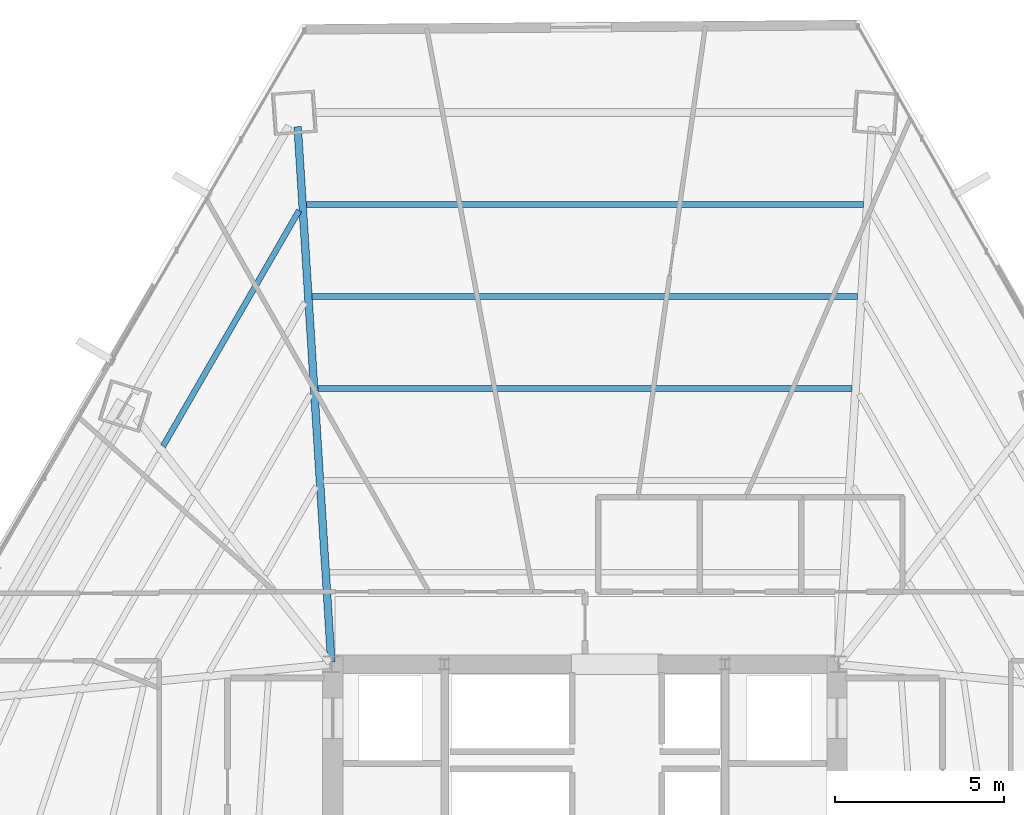
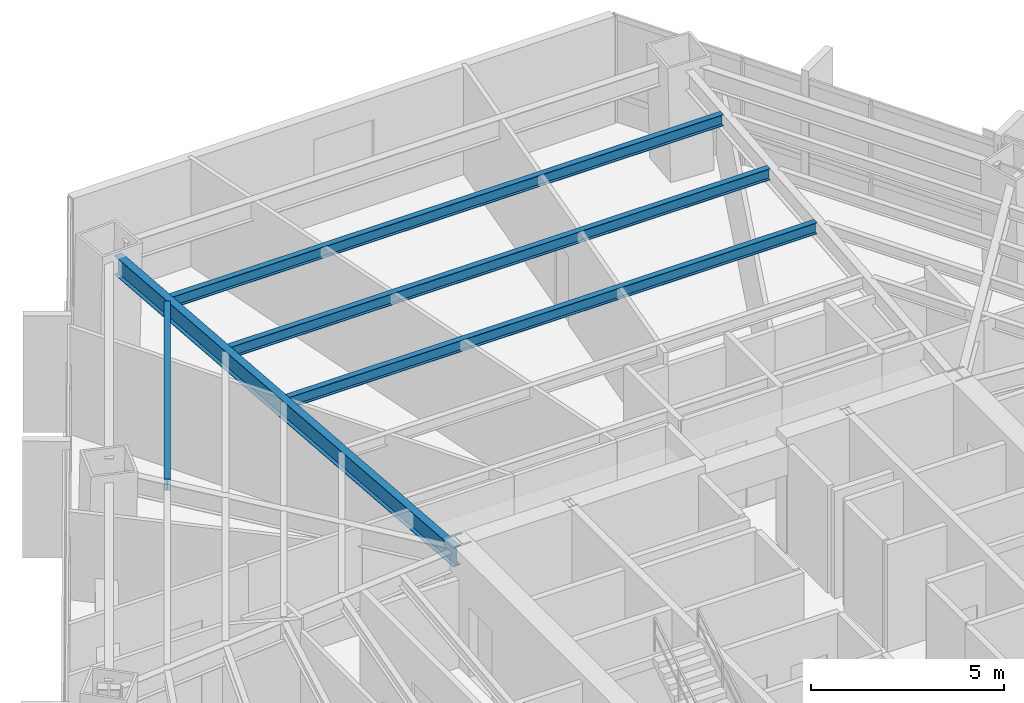
# One storey, part 24 of 34: 5 beams.
"""IFC4 building model written with IfcOpenShell, lengths in metres."""

from ifc_helpers import new_model, si_unit, direction, frame, origin, origin_2d, place, context, subcontext, project, spatial, i_section, extrude, source, transform, mapped, material, material_profile, profile_set, type_object, type_shapes, element, save


model = new_model("IFC4")

# Units and contexts
model_context = context("Model", 3, precision=1e-05, world=origin(), true_north=direction((0.0, 1.0)))
body_context = subcontext(model_context, "Body", "Model", "MODEL_VIEW")
ifc_project = project(units=[si_unit("LENGTHUNIT", "METRE"), si_unit("AREAUNIT", "SQUARE_METRE"), si_unit("VOLUMEUNIT", "CUBIC_METRE"), si_unit("PLANEANGLEUNIT", "RADIAN"), si_unit("MASSUNIT", "GRAM", prefix="KILO")], contexts=[model_context])

# Site, building, storey
site_placement = place(None, origin())
site = spatial("IfcSite", under=ifc_project, at=site_placement, CompositionType="ELEMENT")
building_placement = place(site_placement, origin())
building = spatial("IfcBuilding", under=site, at=building_placement, Name="Caelisora Broadcast Tower", CompositionType="ELEMENT")
storey_placement = place(building_placement, frame((0.0, 0.0, 56.800048828125)))
storey = spatial("IfcBuildingStorey", under=building, at=storey_placement, Name="L14", CompositionType="ELEMENT", Elevation=56.800048828125)

# Beams
ifc_material = material(Name="Steel Grade 350 (AS/NZS 3679.1)", Category="steel")
ifc_material_profile_1 = material_profile(ifc_material, i_section(OverallWidth=0.22802734375, OverallDepth=0.602294921875, WebThickness=0.010498046875, FlangeThickness=0.014892578125, at=origin_2d()), Name="Steel Grade 350 (AS/NZS 3679.1)")
ifc_profile_set_1 = profile_set([ifc_material_profile_1], Name="Steel Grade 350 (AS/NZS 3679.1)")
beam_type_1 = type_object("IfcBeamType", Name="PG04", PredefinedType="BEAM", material=ifc_profile_set_1)
shared_shape_1 = source(origin(), body_context, "Body", "SweptSolid", [
    extrude(i_section(OverallWidth=0.22802734375, OverallDepth=0.602294921875, WebThickness=0.010498046875, FlangeThickness=0.014892578125, at=origin_2d()), origin(), (0.0, 0.0, 1.0), 15.882080078125),
])
type_shapes(beam_type_1, [shared_shape_1])
beam_1_placement = place(storey_placement, frame((30.49609375, 30.059814453125, 3.098876953125), z_axis=(-0.062748646217, 0.998029361992, 0.0), x_axis=(-0.998029361992, -0.062748646217, 0.0)))
element("IfcBeam", 1, at=beam_1_placement, inside=storey, type_object=beam_type_1, Name="L14 beam PG04", PredefinedType="BEAM", context=body_context, shape_type="MappedRepresentation", body=[
    mapped(shared_shape_1, transform((0.0, 0.0, 0.0), scale=1.0)),
])
ifc_material_profile_2 = material_profile(ifc_material, i_section(OverallWidth=0.172119140625, OverallDepth=0.358642578125, WebThickness=0.008056640625, FlangeThickness=0.012939453125, at=origin_2d()), Name="Steel Grade 350 (AS/NZS 3679.1)")
ifc_profile_set_2 = profile_set([ifc_material_profile_2], Name="Steel Grade 350 (AS/NZS 3679.1)")
beam_type_2 = type_object("IfcBeamType", Name="SB02", PredefinedType="JOIST", material=ifc_profile_set_2)
shared_shape_2 = source(origin(), body_context, "Body", "SweptSolid", [
    extrude(i_section(OverallWidth=0.172119140625, OverallDepth=0.358642578125, WebThickness=0.008056640625, FlangeThickness=0.012939453125, at=origin_2d()), origin(), (0.0, 0.0, 1.0), 15.80419921875),
])
beam_2_placement = place(storey_placement, frame((45.902099609375, 38.164794921875, 3.220703125), z_axis=(-1.0, 0.0, 0.0), x_axis=(0.0, -1.0, 0.0)))
element("IfcBeam", 2, at=beam_2_placement, inside=storey, type_object=beam_type_2, Name="L14 beam SB02", PredefinedType="JOIST", context=body_context, shape_type="MappedRepresentation", body=[
    mapped(shared_shape_2, transform((0.0, 0.0, 0.0), scale=1.0)),
])
shared_shape_3 = source(origin(), body_context, "Body", "SweptSolid", [
    extrude(i_section(OverallWidth=0.172119140625, OverallDepth=0.358642578125, WebThickness=0.008056640625, FlangeThickness=0.012939453125, at=origin_2d()), origin(), (0.0, 0.0, 1.0), 16.146484375),
])
beam_3_placement = place(storey_placement, frame((46.0732421875, 40.886474609375, 3.220703125), z_axis=(-1.0, 0.0, 0.0), x_axis=(0.0, -1.0, 0.0)))
element("IfcBeam", 3, at=beam_3_placement, inside=storey, type_object=beam_type_2, Name="L14 beam SB02", PredefinedType="JOIST", context=body_context, shape_type="MappedRepresentation", body=[
    mapped(shared_shape_3, transform((0.0, 0.0, 0.0), scale=1.0)),
])
shared_shape_4 = source(origin(), body_context, "Body", "SweptSolid", [
    extrude(i_section(OverallWidth=0.172119140625, OverallDepth=0.358642578125, WebThickness=0.008056640625, FlangeThickness=0.012939453125, at=origin_2d()), origin(), (0.0, 0.0, 1.0), 16.48876953125),
])
beam_4_placement = place(storey_placement, frame((46.244384765625, 43.608154296875, 3.220703125), z_axis=(-1.0, 0.0, 0.0), x_axis=(0.0, -1.0, 0.0)))
element("IfcBeam", 4, at=beam_4_placement, inside=storey, type_object=beam_type_2, Name="L14 beam SB02", PredefinedType="JOIST", context=body_context, shape_type="MappedRepresentation", body=[
    mapped(shared_shape_4, transform((0.0, 0.0, 0.0), scale=1.0)),
])
shared_shape_5 = source(origin(), body_context, "Body", "SweptSolid", [
    extrude(i_section(OverallWidth=0.172119140625, OverallDepth=0.358642578125, WebThickness=0.008056640625, FlangeThickness=0.012939453125, at=origin_2d()), origin(), (0.0, 0.0, 1.0), 8.05224609375),
])
type_shapes(beam_type_2, [shared_shape_2, shared_shape_3, shared_shape_4, shared_shape_5])
beam_5_placement = place(storey_placement, frame((29.542724609375, 43.432373046875, 3.220703125), z_axis=(-0.500003280469, -0.866023509796, 0.0), x_axis=(0.866023509796, -0.500003280469, 0.0)))
element("IfcBeam", 5, at=beam_5_placement, inside=storey, type_object=beam_type_2, Name="L14 beam SB02", PredefinedType="JOIST", context=body_context, shape_type="MappedRepresentation", body=[
    mapped(shared_shape_5, transform((0.0, 0.0, 0.0), scale=1.0)),
])

save(model, "model.ifc")
